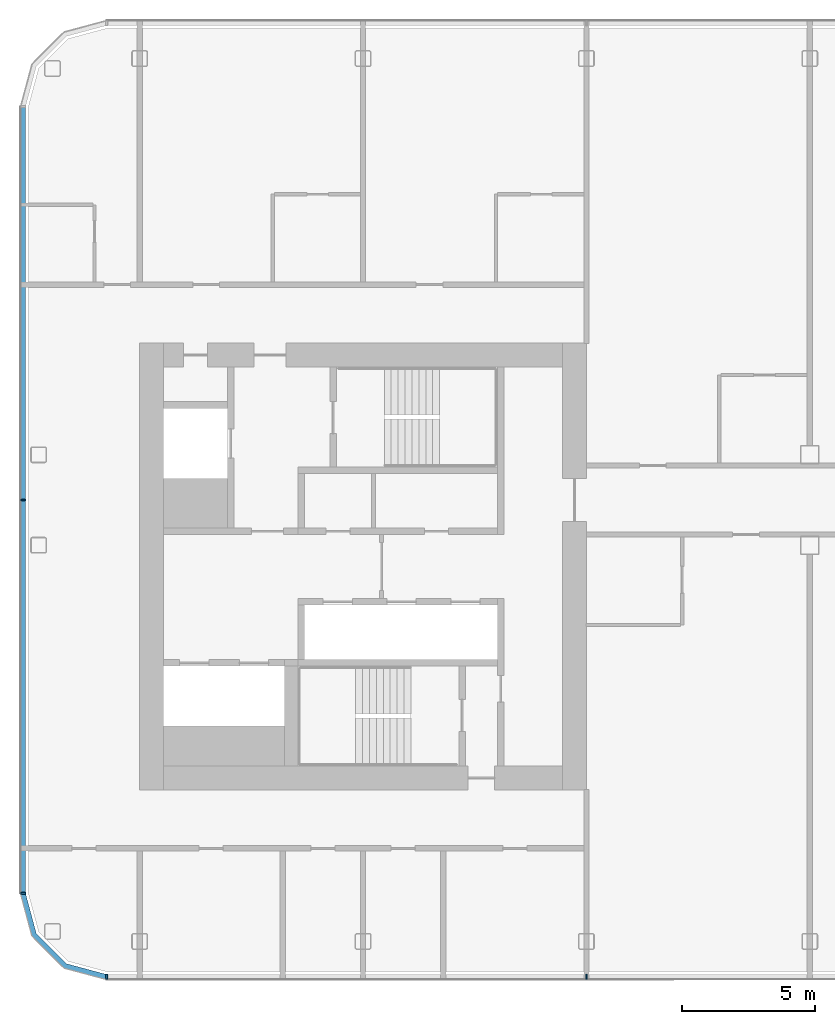
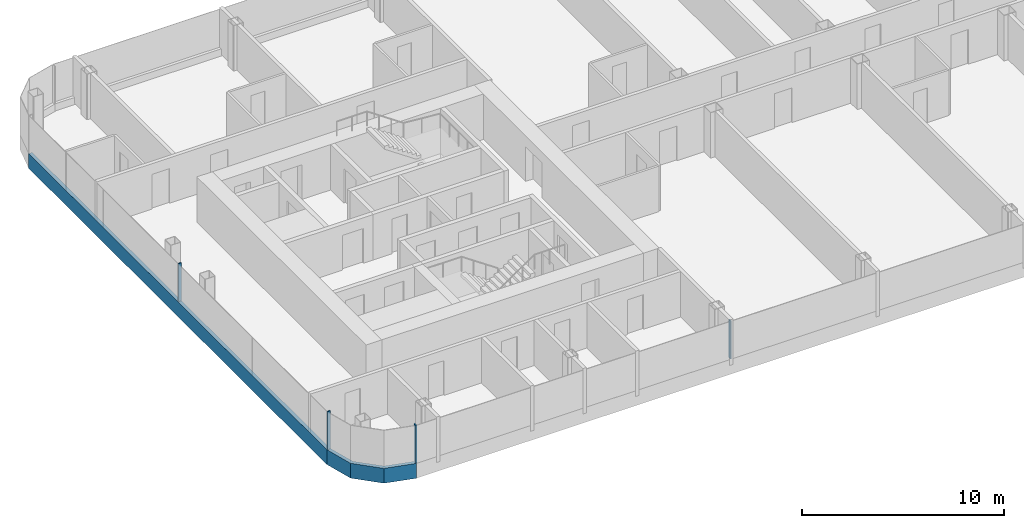
# One storey, part 2 of 25: 6 members, 3 elements without a shape of their own.
"""IFC4 building model written with IfcOpenShell, lengths in metres."""

from ifc_helpers import new_model, si_unit, direction, frame, origin, origin_2d, place, context, subcontext, project, spatial, polyline, rectangle, outline, extrude, material, layer, layer_set, material_profile, profile_set, type_object, element, aggregate, save


model = new_model("IFC4")

# Units and contexts
model_context = context("Model", 3, precision=1e-05, world=origin(), true_north=direction((0.0, 1.0)))
body_context = subcontext(model_context, "Body", "Model", "MODEL_VIEW")
ifc_project = project(units=[si_unit("LENGTHUNIT", "METRE"), si_unit("AREAUNIT", "SQUARE_METRE"), si_unit("VOLUMEUNIT", "CUBIC_METRE"), si_unit("PLANEANGLEUNIT", "RADIAN"), si_unit("MASSUNIT", "GRAM", prefix="KILO")], contexts=[model_context])

# Site, building, storey
site_placement = place(None, origin())
site = spatial("IfcSite", under=ifc_project, at=site_placement, CompositionType="ELEMENT")
building_placement = place(site_placement, origin())
building = spatial("IfcBuilding", under=site, at=building_placement, Name="Hakoniwa Tower and Hamabe Station Hall", CompositionType="ELEMENT")
storey_placement = place(building_placement, frame((0.0, 0.0, 186.60009765625)))
storey = spatial("IfcBuildingStorey", under=building, at=storey_placement, Name="L52", CompositionType="ELEMENT", Elevation=186.60009765625)

# Curtain wall, member
ifc_material_1 = material(Name="Dark low-e laminated glass", Category="glass")
ifc_layer = layer(ifc_material_1, 0.199951171875)
ifc_layer_set = layer_set([ifc_layer], Name="CW-1 UNITISED GUEST")
curtain_wall_type = type_object("IfcCurtainWallType", Name="CW-1 UNITISED GUEST", PredefinedType="NOTDEFINED", material=ifc_layer_set)
curtain_wall_1_placement = place(storey_placement, origin())
curtain_wall_1 = element("IfcCurtainWall", 1, at=curtain_wall_1_placement, inside=storey, type_object=curtain_wall_type, Name="CW-1 curtain wall", PredefinedType="NOTDEFINED")
ifc_material_2 = material(Name="Aluminium 6063-T5 black anodised", Category="aluminium")
ifc_material_profile_1 = material_profile(ifc_material_2, rectangle(XDim=0.199951171875, YDim=0.89990234375, at=origin_2d()), Name="CW SLAB-EDGE BAND 900X200")
ifc_profile_set_1 = profile_set([ifc_material_profile_1], Name="Aluminium 6063-T5 black anodised")
member_type_1 = type_object("IfcMemberType", Name="CW SLAB-EDGE BAND 900X200", PredefinedType="USERDEFINED", material=ifc_profile_set_1)
member_1_placement = place(storey_placement, frame((-38.0, 17.28955078125, -0.10009765625), z_axis=(0.0, -1.0, 0.0), x_axis=(1.0, 0.0, 0.0)))
member_1 = element("IfcMember", 2, at=member_1_placement, type_object=member_type_1, Name="CW-1 transom", ObjectType="TRANSOM", PredefinedType="USERDEFINED", context=body_context, shape_type="SweptSolid", body=[
    extrude(rectangle(XDim=0.199951171875, YDim=0.89990234375, at=origin_2d()), origin(), (0.0, 0.0, 1.0), 29.5791015625),
])

curtain_wall_2_placement = place(storey_placement, origin())
curtain_wall_2 = element("IfcCurtainWall", 3, at=curtain_wall_2_placement, inside=storey, type_object=curtain_wall_type, Name="CW-1 curtain wall", PredefinedType="NOTDEFINED")
member_2_placement = place(storey_placement, frame((0.0, 0.0, -0.550048828125)))
member_2 = element("IfcMember", 4, at=member_2_placement, type_object=member_type_1, Name="CW-1 transom", ObjectType="TRANSOM", PredefinedType="USERDEFINED", context=body_context, shape_type="SweptSolid", body=[
    extrude(outline(polyline([(-38.10009765625, -12.28955078125), (-37.6669921875, -13.9052734375), (-36.455322265625, -15.116943359375), (-34.839599609375, -15.550048828125), (-34.787841796875, -15.35693359375), (-36.351806640625, -14.937744140625), (-37.48779296875, -13.8017578125), (-37.90673828125, -12.23779296875), (-38.10009765625, -12.28955078125)])), origin(), (0.0, 0.0, 1.0), 0.89990234375),
])
aggregate(curtain_wall_2, [member_2])

# Member
ifc_material_3 = material(Name="Aluminium 6063-T5 black anodised", Category="aluminium")
ifc_material_profile_2 = material_profile(ifc_material_3, rectangle(XDim=0.06005859375, YDim=0.179931640625, at=origin_2d()), Name="CW-1 MULLION 60X180")
ifc_profile_set_2 = profile_set([ifc_material_profile_2], Name="Aluminium 6063-T5 black anodised")
member_type_2 = type_object("IfcMemberType", Name="CW-1 MULLION 60X180", PredefinedType="MULLION", material=ifc_profile_set_2)
member_3_placement = place(storey_placement, frame((-37.98193359375, 2.5, 0.349853515625), z_axis=(0.0, 0.0, 1.0), x_axis=(0.0, -1.0, 0.0)))
member_3 = element("IfcMember", 5, at=member_3_placement, type_object=member_type_2, Name="CW-1 mullion", PredefinedType="MULLION", context=body_context, shape_type="SweptSolid", body=[
    extrude(rectangle(XDim=0.06005859375, YDim=0.179931640625, at=origin_2d()), origin(), (0.0, 0.0, 1.0), 2.300048828125),
])

member_4_placement = place(storey_placement, frame((-37.98193359375, -12.28955078125, 0.349853515625), z_axis=(0.0, 0.0, 1.0), x_axis=(0.0, -1.0, 0.0)))
member_4 = element("IfcMember", 6, at=member_4_placement, type_object=member_type_2, Name="CW-1 mullion", PredefinedType="MULLION", context=body_context, shape_type="SweptSolid", body=[
    extrude(rectangle(XDim=0.06005859375, YDim=0.179931640625, at=origin_2d()), origin(), (0.0, 0.0, 1.0), 2.300048828125),
])

aggregate(curtain_wall_1, [member_3, member_4, member_1])

# Curtain wall, members
curtain_wall_3_placement = place(storey_placement, origin())
curtain_wall_3 = element("IfcCurtainWall", 7, at=curtain_wall_3_placement, inside=storey, type_object=curtain_wall_type, Name="CW-1 curtain wall", PredefinedType="NOTDEFINED")
member_5_placement = place(storey_placement, frame((-34.839599609375, -15.431884765625, 0.349853515625), z_axis=(0.0, 0.0, 1.0), x_axis=(1.0, 0.0, 0.0)))
member_5 = element("IfcMember", 8, at=member_5_placement, type_object=member_type_2, Name="CW-1 mullion", PredefinedType="MULLION", context=body_context, shape_type="SweptSolid", body=[
    extrude(rectangle(XDim=0.06005859375, YDim=0.179931640625, at=origin_2d()), origin(), (0.0, 0.0, 1.0), 2.300048828125),
])
member_6_placement = place(storey_placement, frame((-16.800048828125, -15.431884765625, 0.349853515625), z_axis=(0.0, 0.0, 1.0), x_axis=(1.0, 0.0, 0.0)))
member_6 = element("IfcMember", 9, at=member_6_placement, type_object=member_type_2, Name="CW-1 mullion", PredefinedType="MULLION", context=body_context, shape_type="SweptSolid", body=[
    extrude(rectangle(XDim=0.06005859375, YDim=0.179931640625, at=origin_2d()), origin(), (0.0, 0.0, 1.0), 2.300048828125),
])
aggregate(curtain_wall_3, [member_5, member_6])

save(model, "model.ifc")
